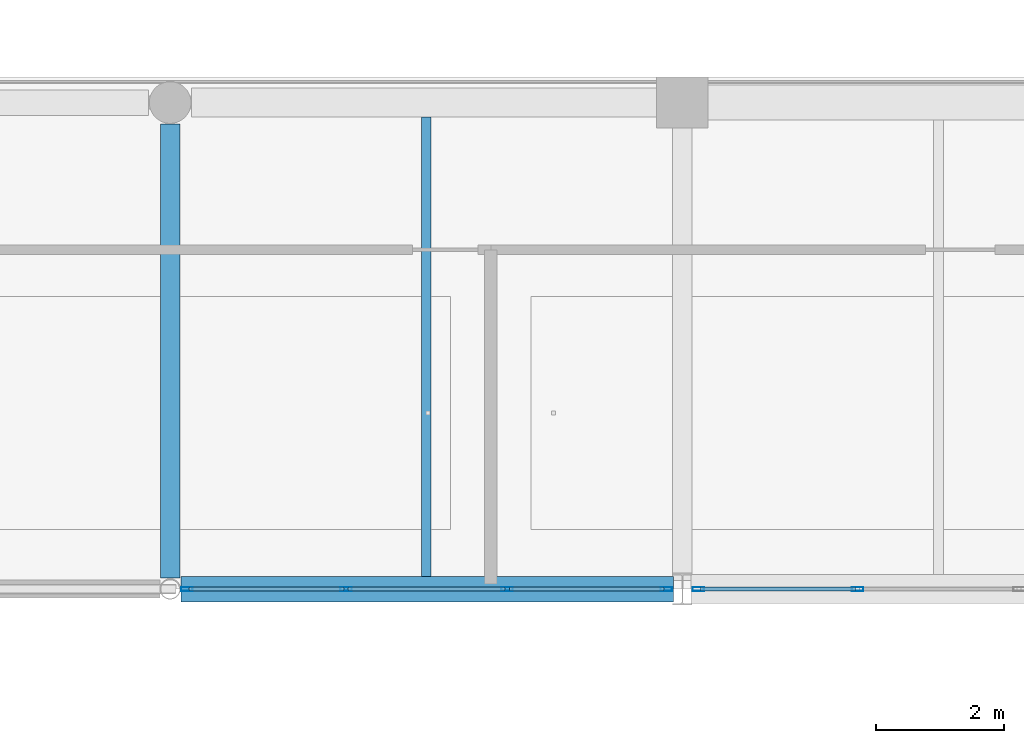
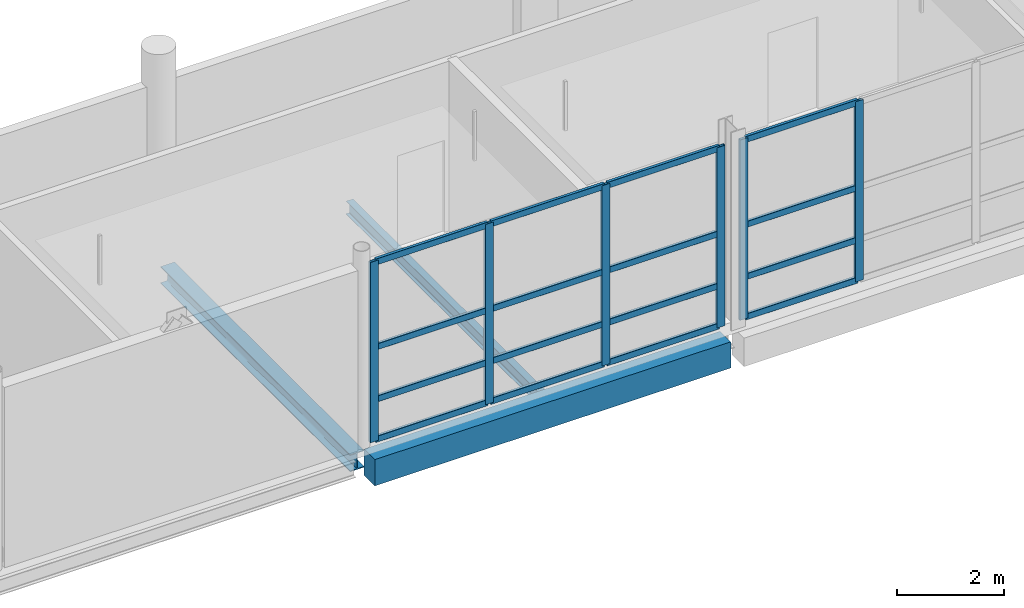
# One storey, part 35 of 107: 22 members, 3 beams, 2 elements without a shape of their own.
"""IFC4 building model written with IfcOpenShell, lengths in metres."""

import ifcopenshell
import ifcopenshell.guid

model = None  # the IFC model being written
_history = None  # IfcOwnerHistory: only IFC2X3 demands one
_inside = {}  # id of a spatial element -> (the spatial element, [elements in it])
_under = {}  # id of a project, library or spatial element -> (it, [spatial elements below it])
_declared = {}  # id of a project -> (the project, [libraries it declares])
_typed = {}  # id of a type object -> (the type object, [elements of that type])
_made_of = {}  # id of a material, layer set ... -> (it, [elements and type objects made of it])


def new_model(schema):
    """Start an empty IFC model of exactly this schema.

    Asked for "IFC4X3", IfcOpenShell would pick the latest addendum, in which some entities
    have other attributes; the version numbers below select the first issue.
    IFC2X3 requires an IfcOwnerHistory on every rooted entity: one is made here for all.
    """
    global model, _history
    if schema == "IFC4X3":
        model = ifcopenshell.file(schema_version=(4, 3, 0, 0))
    else:
        model = ifcopenshell.file(schema=schema)
    _inside.clear()
    _under.clear()
    _declared.clear()
    _typed.clear()
    _made_of.clear()
    _history = None
    if model.schema == "IFC2X3":
        org = make("IfcOrganization", Name="unknown")
        user = make(
            "IfcPersonAndOrganization",
            ThePerson=make("IfcPerson", FamilyName="unknown"),
            TheOrganization=org,
        )
        app = make(
            "IfcApplication",
            ApplicationDeveloper=org,
            Version="unknown",
            ApplicationFullName="unknown",
            ApplicationIdentifier="unknown",
        )
        _history = make(
            "IfcOwnerHistory",
            OwningUser=user,
            OwningApplication=app,
            ChangeAction="ADDED",
            CreationDate=0,
        )
    return model


def make(cls, **values):
    """One entity of the class cls with the attributes given. An attribute that is None is left unset."""
    return model.create_entity(
        cls, **{name: value for name, value in values.items() if value is not None}
    )


def rooted(cls, **values):
    """An entity with a GlobalId (a new one), such as an element, a storey or a relation."""
    return make(cls, GlobalId=ifcopenshell.guid.new(), OwnerHistory=_history, **values)


def si_unit(unit_type, name, prefix=None):
    """IfcSIUnit, for example si_unit("LENGTHUNIT", "METRE", prefix="MILLI")."""
    return make("IfcSIUnit", UnitType=unit_type, Prefix=prefix, Name=name)


def assignment(units):
    """IfcUnitAssignment: the units of a project."""
    return None if units is None else make("IfcUnitAssignment", Units=units)


def point(xyz):
    """IfcCartesianPoint."""
    return None if xyz is None else make("IfcCartesianPoint", Coordinates=xyz)


def direction(xyz):
    """IfcDirection."""
    return None if xyz is None else make("IfcDirection", DirectionRatios=xyz)


def frame(location, z_axis=None, x_axis=None):
    """IfcAxis2Placement3D, a coordinate frame: its origin and axes. An axis left out is left unset."""
    return make(
        "IfcAxis2Placement3D",
        Location=point(location),
        Axis=direction(z_axis),
        RefDirection=direction(x_axis),
    )


def frame_2d(location, x_axis=None):
    """IfcAxis2Placement2D, a coordinate frame in the plane: its origin and x axis."""
    return make(
        "IfcAxis2Placement2D", Location=point(location), RefDirection=direction(x_axis)
    )


def origin():
    """The frame at (0, 0, 0) with its axes left unset."""
    return frame((0.0, 0.0, 0.0))


def origin_2d():
    """The frame at (0, 0) in the plane with its x axis left unset."""
    return frame_2d((0.0, 0.0))


def place(relative_to, where):
    """IfcLocalPlacement: puts the frame where relative to a parent placement (None: the world)."""
    return make(
        "IfcLocalPlacement", PlacementRelTo=relative_to, RelativePlacement=where
    )


def context(
    kind, dimensions, precision=None, world=None, true_north=None, identifier=None
):
    """IfcGeometricRepresentationContext, for example the 3D "Model" context."""
    return make(
        "IfcGeometricRepresentationContext",
        ContextIdentifier=identifier,
        ContextType=kind,
        CoordinateSpaceDimension=dimensions,
        Precision=precision,
        WorldCoordinateSystem=world,
        TrueNorth=true_north,
    )


def subcontext(parent, identifier, kind, view, scale=None):
    """IfcGeometricRepresentationSubContext, for example "Body" below "Model"."""
    return make(
        "IfcGeometricRepresentationSubContext",
        ContextIdentifier=identifier,
        ContextType=kind,
        ParentContext=parent,
        TargetScale=scale,
        TargetView=view,
    )


def project(units=None, contexts=None):
    """IfcProject with its units and contexts."""
    return rooted(
        "IfcProject",
        Name="project",
        RepresentationContexts=contexts,
        UnitsInContext=assignment(units),
    )


def spatial(cls, under=None, at=None, **own):
    """A site, building, storey or space (cls), placed at a placement, below another one or the project."""
    s = rooted(cls, ObjectPlacement=at, **own)
    if under is not None:
        _under.setdefault(under.id(), (under, []))[1].append(s)
    return s


def profile(cls, at=None, kind="AREA", **sizes):
    """A parametric profile (cls). Its sizes go by their IFC names, for example OverallWidth=200.0."""
    return make(cls, ProfileType=kind, Position=at, **sizes)


def rectangle(**sizes):
    """IfcRectangleProfileDef."""
    return profile("IfcRectangleProfileDef", **sizes)


def hollow_rectangle(**sizes):
    """IfcRectangleHollowProfileDef."""
    return profile("IfcRectangleHollowProfileDef", **sizes)


def i_section(**sizes):
    """IfcIShapeProfileDef."""
    return profile("IfcIShapeProfileDef", **sizes)


def extrude(swept, where, along, depth):
    """IfcExtrudedAreaSolid: the profile swept, set in the frame where, extruded along a direction by depth."""
    return make(
        "IfcExtrudedAreaSolid",
        SweptArea=swept,
        Position=where,
        ExtrudedDirection=direction(along),
        Depth=depth,
    )


def shape(context_of_items, identifier, shape_type, items):
    """IfcShapeRepresentation: the items that make up one representation, for example the "Body"."""
    return make(
        "IfcShapeRepresentation",
        ContextOfItems=context_of_items,
        RepresentationIdentifier=identifier,
        RepresentationType=shape_type,
        Items=items,
    )


def material(Name=None, Category=None):
    """IfcMaterial."""
    return make("IfcMaterial", Name=Name, Category=Category)


def material_profile(
    of_material, cross_section, Name=None, Category=None, Priority=None
):
    """IfcMaterialProfile: a cross section and its material."""
    return make(
        "IfcMaterialProfile",
        Name=Name,
        Material=of_material,
        Profile=cross_section,
        Priority=Priority,
        Category=Category,
    )


def profile_set(profiles, Name=None, composite=None):
    """IfcMaterialProfileSet."""
    return make(
        "IfcMaterialProfileSet",
        Name=Name,
        MaterialProfiles=profiles,
        CompositeProfile=composite,
    )


def made_of(thing, what):
    """Note that an element or type object is made of a material, layer set ...; save() writes the relation."""
    if what is not None:
        _made_of.setdefault(what.id(), (what, []))[1].append(thing)
    return thing


def type_object(cls, material=None, **own):
    """A type object (cls), such as IfcWallType, which elements share."""
    return made_of(rooted(cls, **own), material)


def element(
    cls,
    number,
    at=None,
    inside=None,
    cuts=None,
    type_object=None,
    material=None,
    context=None,
    identifier="Body",
    shape_type=None,
    held_by="IfcProductDefinitionShape",
    body=None,
    shapes=None,
    **own,
):
    """One element of the class cls, such as IfcWall. Its Tag is "e" and its number.

    at: its placement. inside: the storey or other place that contains it. cuts: it is an
    opening in that element (IfcRelVoidsElement). A single representation is given by context,
    identifier, shape_type and body (its items); several are given by shapes. held_by: the class
    of the entity that holds the representations. save() writes the other relations.
    """
    e = rooted(cls, Tag="e%d" % number, ObjectPlacement=at, **own)
    if body is not None:
        shapes = [shape(context, identifier, shape_type, body)]
    if shapes is not None:
        e.Representation = make(held_by, Representations=shapes)
    if inside is not None:
        _inside.setdefault(inside.id(), (inside, []))[1].append(e)
    if cuts is not None:
        rooted(
            "IfcRelVoidsElement", RelatingBuildingElement=cuts, RelatedOpeningElement=e
        )
    if type_object is not None:
        _typed.setdefault(type_object.id(), (type_object, []))[1].append(e)
    return made_of(e, material)


def aggregate(whole, parts):
    """IfcRelAggregates: a whole, such as a stair, and the parts it consists of."""
    return rooted("IfcRelAggregates", RelatingObject=whole, RelatedObjects=parts)


def save(model, path):
    """Write the relations noted so far, then the file.

    IfcRelAggregates (storeys below a building ...), IfcRelContainedInSpatialStructure (elements
    in a storey), IfcRelDefinesByType, IfcRelAssociatesMaterial and IfcRelDeclares: one each for
    every whole, place, type object, material and project.
    """
    for whole, parts in _under.values():
        aggregate(whole, parts)
    for where, things in _inside.values():
        rooted(
            "IfcRelContainedInSpatialStructure",
            RelatedElements=things,
            RelatingStructure=where,
        )
    for kind, things in _typed.values():
        rooted("IfcRelDefinesByType", RelatedObjects=things, RelatingType=kind)
    for what, things in _made_of.values():
        rooted("IfcRelAssociatesMaterial", RelatedObjects=things, RelatingMaterial=what)
    for by, libraries in _declared.values():
        rooted("IfcRelDeclares", RelatingContext=by, RelatedDefinitions=libraries)
    model.write(path)


model = new_model("IFC4")

# Units and contexts
model_context = context("Model", 3, precision=1e-05, world=origin(), true_north=direction((0.0, 1.0)))
body_context = subcontext(model_context, "Body", "Model", "MODEL_VIEW")
ifc_project = project(units=[si_unit("LENGTHUNIT", "METRE"), si_unit("AREAUNIT", "SQUARE_METRE"), si_unit("VOLUMEUNIT", "CUBIC_METRE"), si_unit("PLANEANGLEUNIT", "RADIAN"), si_unit("MASSUNIT", "GRAM", prefix="KILO")], contexts=[model_context])

# Site, building, storey
site_placement = place(None, origin())
site = spatial("IfcSite", under=ifc_project, at=site_placement, CompositionType="ELEMENT")
building_placement = place(site_placement, origin())
building = spatial("IfcBuilding", under=site, at=building_placement, Name="Khelvaren Railside Concert Hall", CompositionType="ELEMENT")
storey_placement = place(building_placement, frame((0.0, 0.0, 15.0)))
storey = spatial("IfcBuildingStorey", under=building, at=storey_placement, Name="L03", CompositionType="ELEMENT", Elevation=15.0)

# Beam
ifc_material_1 = material(Name="Steel S355", Category="steel")
ifc_material_profile_1 = material_profile(ifc_material_1, i_section(OverallWidth=0.300048828125, OverallDepth=0.389892578125, WebThickness=0.010986328125, FlangeThickness=0.01904296875, FilletRadius=0.027099609375, at=origin_2d()), Name="HEA 400")
ifc_profile_set_1 = profile_set([ifc_material_profile_1], Name="Steel S355")
beam_type_1 = type_object("IfcBeamType", Name="BM23", PredefinedType="BEAM", material=ifc_profile_set_1)
beam_1_placement = place(storey_placement, frame((160.0, 0.170654296875, -0.47509765625), z_axis=(0.0, 1.0, 0.0), x_axis=(-1.0, 0.0, 0.0)))
element("IfcBeam", 1, at=beam_1_placement, inside=storey, type_object=beam_type_1, Name="V2 L03 Beam Y3.1", PredefinedType="BEAM", context=body_context, shape_type="SweptSolid", body=[
    extrude(i_section(OverallWidth=0.300048828125, OverallDepth=0.389892578125, WebThickness=0.010986328125, FlangeThickness=0.01904296875, FilletRadius=0.027099609375, at=origin_2d()), origin(), (0.0, 0.0, 1.0), 7.09326171875),
])

# Curtain wall, members
ifc_material_2 = material(Name="Double-glazed low-E dark acoustic glass", Category="glass")
curtain_wall_type_1 = type_object("IfcCurtainWallType", Name="CW65", PredefinedType="USERDEFINED", material=ifc_material_2)
curtain_wall_1_placement = place(storey_placement, origin())
curtain_wall_1 = element("IfcCurtainWall", 2, at=curtain_wall_1_placement, inside=storey, type_object=curtain_wall_type_1, Name="Unitised Curtain Wall CW-V2-L03-S-160", ObjectType="UNITISED CURTAIN WALL", PredefinedType="USERDEFINED")
ifc_material_3 = material(Name="Anodised architectural aluminium 6063-T6", Category="aluminium")
ifc_material_profile_2 = material_profile(ifc_material_3, hollow_rectangle(XDim=0.06494140625, YDim=0.179931640625, WallThickness=0.00390625, InnerFilletRadius=0.001953125, OuterFilletRadius=0.00390625, at=origin_2d()), Name="CWM 65x180x4")
ifc_profile_set_2 = profile_set([ifc_material_profile_2], Name="Anodised architectural aluminium 6063-T6")
member_type_1 = type_object("IfcMemberType", Name="CWM63", PredefinedType="MULLION", material=ifc_profile_set_2)
member_1_placement = place(storey_placement, frame((167.75, 0.0, 0.0), z_axis=(0.0, 0.0, 1.0), x_axis=(0.0, -1.0, 0.0)))
member_1 = element("IfcMember", 3, at=member_1_placement, type_object=member_type_1, Name="CW65 mullion 1", PredefinedType="MULLION", context=body_context, shape_type="SweptSolid", body=[
    extrude(hollow_rectangle(XDim=0.06494140625, YDim=0.179931640625, WallThickness=0.00390625, InnerFilletRadius=0.001953125, OuterFilletRadius=0.00390625, at=origin_2d()), origin(), (0.0, 0.0, 1.0), 4.1201171875),
])
member_2_placement = place(storey_placement, frame((165.264892578125, 0.0, 0.0), z_axis=(0.0, 0.0, 1.0), x_axis=(0.0, -1.0, 0.0)))
member_2 = element("IfcMember", 4, at=member_2_placement, type_object=member_type_1, Name="CW65 mullion 2", PredefinedType="MULLION", context=body_context, shape_type="SweptSolid", body=[
    extrude(hollow_rectangle(XDim=0.06494140625, YDim=0.179931640625, WallThickness=0.00390625, InnerFilletRadius=0.001953125, OuterFilletRadius=0.00390625, at=origin_2d()), origin(), (0.0, 0.0, 1.0), 4.1201171875),
])
member_3_placement = place(storey_placement, frame((162.7470703125, 0.0, 0.0), z_axis=(0.0, 0.0, 1.0), x_axis=(0.0, -1.0, 0.0)))
member_3 = element("IfcMember", 5, at=member_3_placement, type_object=member_type_1, Name="CW65 mullion 3", PredefinedType="MULLION", context=body_context, shape_type="SweptSolid", body=[
    extrude(hollow_rectangle(XDim=0.06494140625, YDim=0.179931640625, WallThickness=0.00390625, InnerFilletRadius=0.001953125, OuterFilletRadius=0.00390625, at=origin_2d()), origin(), (0.0, 0.0, 1.0), 4.1201171875),
])
member_4_placement = place(storey_placement, frame((160.261962890625, 0.0, 0.0), z_axis=(0.0, 0.0, 1.0), x_axis=(0.0, -1.0, 0.0)))
member_4 = element("IfcMember", 6, at=member_4_placement, type_object=member_type_1, Name="CW65 mullion 4", PredefinedType="MULLION", context=body_context, shape_type="SweptSolid", body=[
    extrude(hollow_rectangle(XDim=0.06494140625, YDim=0.179931640625, WallThickness=0.00390625, InnerFilletRadius=0.001953125, OuterFilletRadius=0.00390625, at=origin_2d()), origin(), (0.0, 0.0, 1.0), 4.1201171875),
])

curtain_wall_type_2 = type_object("IfcCurtainWallType", Name="CW69", PredefinedType="USERDEFINED", material=ifc_material_2)
curtain_wall_2_placement = place(storey_placement, origin())
curtain_wall_2 = element("IfcCurtainWall", 7, at=curtain_wall_2_placement, inside=storey, type_object=curtain_wall_type_2, Name="Unitised Curtain Wall CW-V2-L03-S-168", ObjectType="UNITISED CURTAIN WALL", PredefinedType="USERDEFINED")
member_5_placement = place(storey_placement, frame((170.7392578125, 0.0, 0.0), z_axis=(0.0, 0.0, 1.0), x_axis=(0.0, -1.0, 0.0)))
member_5 = element("IfcMember", 8, at=member_5_placement, type_object=member_type_1, Name="CW69 mullion 3", PredefinedType="MULLION", context=body_context, shape_type="SweptSolid", body=[
    extrude(hollow_rectangle(XDim=0.06494140625, YDim=0.179931640625, WallThickness=0.00390625, InnerFilletRadius=0.001953125, OuterFilletRadius=0.00390625, at=origin_2d()), origin(), (0.0, 0.0, 1.0), 4.1201171875),
])
member_6_placement = place(storey_placement, frame((168.25, 0.0, 0.0), z_axis=(0.0, 0.0, 1.0), x_axis=(0.0, -1.0, 0.0)))
member_6 = element("IfcMember", 9, at=member_6_placement, type_object=member_type_1, Name="CW69 mullion 4", PredefinedType="MULLION", context=body_context, shape_type="SweptSolid", body=[
    extrude(hollow_rectangle(XDim=0.06494140625, YDim=0.179931640625, WallThickness=0.00390625, InnerFilletRadius=0.001953125, OuterFilletRadius=0.00390625, at=origin_2d()), origin(), (0.0, 0.0, 1.0), 4.1201171875),
])

# Member
ifc_material_profile_3 = material_profile(ifc_material_3, hollow_rectangle(XDim=0.06494140625, YDim=0.139892578125, WallThickness=0.00390625, InnerFilletRadius=0.001953125, OuterFilletRadius=0.00390625, at=origin_2d()), Name="CWT 65x140x4")
ifc_profile_set_3 = profile_set([ifc_material_profile_3], Name="Anodised architectural aluminium 6063-T6")
member_type_2 = type_object("IfcMemberType", Name="CWT72", PredefinedType="USERDEFINED", material=ifc_profile_set_3)
member_7_placement = place(storey_placement, frame((167.717529296875, 0.0, 0.032470703125), z_axis=(-1.0, 0.0, 0.0), x_axis=(0.0, -1.0, 0.0)))
member_7 = element("IfcMember", 10, at=member_7_placement, type_object=member_type_2, Name="CW65 transom 1.1", ObjectType="TRANSOM", PredefinedType="USERDEFINED", context=body_context, shape_type="SweptSolid", body=[
    extrude(hollow_rectangle(XDim=0.06494140625, YDim=0.139892578125, WallThickness=0.00390625, InnerFilletRadius=0.001953125, OuterFilletRadius=0.00390625, at=origin_2d()), origin(), (0.0, 0.0, 1.0), 2.420166015625),
])

member_8_placement = place(storey_placement, frame((167.717529296875, 0.0, 0.949951171875), z_axis=(-1.0, 0.0, 0.0), x_axis=(0.0, -1.0, 0.0)))
member_8 = element("IfcMember", 11, at=member_8_placement, type_object=member_type_2, Name="CW65 transom 1.2", ObjectType="TRANSOM", PredefinedType="USERDEFINED", context=body_context, shape_type="SweptSolid", body=[
    extrude(hollow_rectangle(XDim=0.06494140625, YDim=0.139892578125, WallThickness=0.00390625, InnerFilletRadius=0.001953125, OuterFilletRadius=0.00390625, at=origin_2d()), origin(), (0.0, 0.0, 1.0), 2.420166015625),
])

member_9_placement = place(storey_placement, frame((167.717529296875, 0.0, 2.142333984375), z_axis=(-1.0, 0.0, 0.0), x_axis=(0.0, -1.0, 0.0)))
member_9 = element("IfcMember", 12, at=member_9_placement, type_object=member_type_2, Name="CW65 transom 1.3", ObjectType="TRANSOM", PredefinedType="USERDEFINED", context=body_context, shape_type="SweptSolid", body=[
    extrude(hollow_rectangle(XDim=0.06494140625, YDim=0.139892578125, WallThickness=0.00390625, InnerFilletRadius=0.001953125, OuterFilletRadius=0.00390625, at=origin_2d()), origin(), (0.0, 0.0, 1.0), 2.420166015625),
])

member_10_placement = place(storey_placement, frame((167.717529296875, 0.0, 4.08740234375), z_axis=(-1.0, 0.0, 0.0), x_axis=(0.0, -1.0, 0.0)))
member_10 = element("IfcMember", 13, at=member_10_placement, type_object=member_type_2, Name="CW65 transom 1.4", ObjectType="TRANSOM", PredefinedType="USERDEFINED", context=body_context, shape_type="SweptSolid", body=[
    extrude(hollow_rectangle(XDim=0.06494140625, YDim=0.139892578125, WallThickness=0.00390625, InnerFilletRadius=0.001953125, OuterFilletRadius=0.00390625, at=origin_2d()), origin(), (0.0, 0.0, 1.0), 2.420166015625),
])

member_11_placement = place(storey_placement, frame((165.232421875, 0.0, 0.032470703125), z_axis=(-1.0, 0.0, 0.0), x_axis=(0.0, -1.0, 0.0)))
member_11 = element("IfcMember", 14, at=member_11_placement, type_object=member_type_2, Name="CW65 transom 2.1", ObjectType="TRANSOM", PredefinedType="USERDEFINED", context=body_context, shape_type="SweptSolid", body=[
    extrude(hollow_rectangle(XDim=0.06494140625, YDim=0.139892578125, WallThickness=0.00390625, InnerFilletRadius=0.001953125, OuterFilletRadius=0.00390625, at=origin_2d()), origin(), (0.0, 0.0, 1.0), 2.45263671875),
])

member_12_placement = place(storey_placement, frame((165.232421875, 0.0, 0.949951171875), z_axis=(-1.0, 0.0, 0.0), x_axis=(0.0, -1.0, 0.0)))
member_12 = element("IfcMember", 15, at=member_12_placement, type_object=member_type_2, Name="CW65 transom 2.2", ObjectType="TRANSOM", PredefinedType="USERDEFINED", context=body_context, shape_type="SweptSolid", body=[
    extrude(hollow_rectangle(XDim=0.06494140625, YDim=0.139892578125, WallThickness=0.00390625, InnerFilletRadius=0.001953125, OuterFilletRadius=0.00390625, at=origin_2d()), origin(), (0.0, 0.0, 1.0), 2.45263671875),
])

member_13_placement = place(storey_placement, frame((165.232421875, 0.0, 2.142333984375), z_axis=(-1.0, 0.0, 0.0), x_axis=(0.0, -1.0, 0.0)))
member_13 = element("IfcMember", 16, at=member_13_placement, type_object=member_type_2, Name="CW65 transom 2.3", ObjectType="TRANSOM", PredefinedType="USERDEFINED", context=body_context, shape_type="SweptSolid", body=[
    extrude(hollow_rectangle(XDim=0.06494140625, YDim=0.139892578125, WallThickness=0.00390625, InnerFilletRadius=0.001953125, OuterFilletRadius=0.00390625, at=origin_2d()), origin(), (0.0, 0.0, 1.0), 2.45263671875),
])

member_14_placement = place(storey_placement, frame((165.232421875, 0.0, 4.08740234375), z_axis=(-1.0, 0.0, 0.0), x_axis=(0.0, -1.0, 0.0)))
member_14 = element("IfcMember", 17, at=member_14_placement, type_object=member_type_2, Name="CW65 transom 2.4", ObjectType="TRANSOM", PredefinedType="USERDEFINED", context=body_context, shape_type="SweptSolid", body=[
    extrude(hollow_rectangle(XDim=0.06494140625, YDim=0.139892578125, WallThickness=0.00390625, InnerFilletRadius=0.001953125, OuterFilletRadius=0.00390625, at=origin_2d()), origin(), (0.0, 0.0, 1.0), 2.45263671875),
])

member_15_placement = place(storey_placement, frame((162.714599609375, 0.0, 0.032470703125), z_axis=(-1.0, 0.0, 0.0), x_axis=(0.0, -1.0, 0.0)))
member_15 = element("IfcMember", 18, at=member_15_placement, type_object=member_type_2, Name="CW65 transom 3.1", ObjectType="TRANSOM", PredefinedType="USERDEFINED", context=body_context, shape_type="SweptSolid", body=[
    extrude(hollow_rectangle(XDim=0.06494140625, YDim=0.139892578125, WallThickness=0.00390625, InnerFilletRadius=0.001953125, OuterFilletRadius=0.00390625, at=origin_2d()), origin(), (0.0, 0.0, 1.0), 2.420166015625),
])

member_16_placement = place(storey_placement, frame((162.714599609375, 0.0, 0.949951171875), z_axis=(-1.0, 0.0, 0.0), x_axis=(0.0, -1.0, 0.0)))
member_16 = element("IfcMember", 19, at=member_16_placement, type_object=member_type_2, Name="CW65 transom 3.2", ObjectType="TRANSOM", PredefinedType="USERDEFINED", context=body_context, shape_type="SweptSolid", body=[
    extrude(hollow_rectangle(XDim=0.06494140625, YDim=0.139892578125, WallThickness=0.00390625, InnerFilletRadius=0.001953125, OuterFilletRadius=0.00390625, at=origin_2d()), origin(), (0.0, 0.0, 1.0), 2.420166015625),
])

member_17_placement = place(storey_placement, frame((162.714599609375, 0.0, 2.142333984375), z_axis=(-1.0, 0.0, 0.0), x_axis=(0.0, -1.0, 0.0)))
member_17 = element("IfcMember", 20, at=member_17_placement, type_object=member_type_2, Name="CW65 transom 3.3", ObjectType="TRANSOM", PredefinedType="USERDEFINED", context=body_context, shape_type="SweptSolid", body=[
    extrude(hollow_rectangle(XDim=0.06494140625, YDim=0.139892578125, WallThickness=0.00390625, InnerFilletRadius=0.001953125, OuterFilletRadius=0.00390625, at=origin_2d()), origin(), (0.0, 0.0, 1.0), 2.420166015625),
])

member_18_placement = place(storey_placement, frame((162.714599609375, 0.0, 4.08740234375), z_axis=(-1.0, 0.0, 0.0), x_axis=(0.0, -1.0, 0.0)))
member_18 = element("IfcMember", 21, at=member_18_placement, type_object=member_type_2, Name="CW65 transom 3.4", ObjectType="TRANSOM", PredefinedType="USERDEFINED", context=body_context, shape_type="SweptSolid", body=[
    extrude(hollow_rectangle(XDim=0.06494140625, YDim=0.139892578125, WallThickness=0.00390625, InnerFilletRadius=0.001953125, OuterFilletRadius=0.00390625, at=origin_2d()), origin(), (0.0, 0.0, 1.0), 2.420166015625),
])

aggregate(curtain_wall_1, [member_1, member_2, member_3, member_4, member_7, member_8, member_9, member_10, member_11, member_12, member_13, member_14, member_15, member_16, member_17, member_18])

member_19_placement = place(storey_placement, frame((170.706787109375, 0.0, 0.032470703125), z_axis=(-1.0, 0.0, 0.0), x_axis=(0.0, -1.0, 0.0)))
member_19 = element("IfcMember", 22, at=member_19_placement, type_object=member_type_2, Name="CW69 transom 3.1", ObjectType="TRANSOM", PredefinedType="USERDEFINED", context=body_context, shape_type="SweptSolid", body=[
    extrude(hollow_rectangle(XDim=0.06494140625, YDim=0.139892578125, WallThickness=0.00390625, InnerFilletRadius=0.001953125, OuterFilletRadius=0.00390625, at=origin_2d()), origin(), (0.0, 0.0, 1.0), 2.42431640625),
])

member_20_placement = place(storey_placement, frame((170.706787109375, 0.0, 0.949951171875), z_axis=(-1.0, 0.0, 0.0), x_axis=(0.0, -1.0, 0.0)))
member_20 = element("IfcMember", 23, at=member_20_placement, type_object=member_type_2, Name="CW69 transom 3.2", ObjectType="TRANSOM", PredefinedType="USERDEFINED", context=body_context, shape_type="SweptSolid", body=[
    extrude(hollow_rectangle(XDim=0.06494140625, YDim=0.139892578125, WallThickness=0.00390625, InnerFilletRadius=0.001953125, OuterFilletRadius=0.00390625, at=origin_2d()), origin(), (0.0, 0.0, 1.0), 2.42431640625),
])

member_21_placement = place(storey_placement, frame((170.706787109375, 0.0, 2.142333984375), z_axis=(-1.0, 0.0, 0.0), x_axis=(0.0, -1.0, 0.0)))
member_21 = element("IfcMember", 24, at=member_21_placement, type_object=member_type_2, Name="CW69 transom 3.3", ObjectType="TRANSOM", PredefinedType="USERDEFINED", context=body_context, shape_type="SweptSolid", body=[
    extrude(hollow_rectangle(XDim=0.06494140625, YDim=0.139892578125, WallThickness=0.00390625, InnerFilletRadius=0.001953125, OuterFilletRadius=0.00390625, at=origin_2d()), origin(), (0.0, 0.0, 1.0), 2.42431640625),
])

member_22_placement = place(storey_placement, frame((170.706787109375, 0.0, 4.08740234375), z_axis=(-1.0, 0.0, 0.0), x_axis=(0.0, -1.0, 0.0)))
member_22 = element("IfcMember", 25, at=member_22_placement, type_object=member_type_2, Name="CW69 transom 3.4", ObjectType="TRANSOM", PredefinedType="USERDEFINED", context=body_context, shape_type="SweptSolid", body=[
    extrude(hollow_rectangle(XDim=0.06494140625, YDim=0.139892578125, WallThickness=0.00390625, InnerFilletRadius=0.001953125, OuterFilletRadius=0.00390625, at=origin_2d()), origin(), (0.0, 0.0, 1.0), 2.42431640625),
])

aggregate(curtain_wall_2, [member_5, member_6, member_19, member_20, member_21, member_22])

# Beams
ifc_material_profile_4 = material_profile(ifc_material_1, i_section(OverallWidth=0.14990234375, OverallDepth=0.300048828125, WebThickness=0.007080078125, FlangeThickness=0.0107421875, FilletRadius=0.014892578125, at=origin_2d()), Name="IPE 300")
ifc_profile_set_4 = profile_set([ifc_material_profile_4], Name="Steel S355")
beam_type_2 = type_object("IfcBeamType", Name="JS26", PredefinedType="JOIST", material=ifc_profile_set_4)
beam_2_placement = place(storey_placement, frame((164.0, 0.199951171875, -0.429931640625), z_axis=(0.0, 1.0, 0.0), x_axis=(-1.0, 0.0, 0.0)))
element("IfcBeam", 26, at=beam_2_placement, inside=storey, type_object=beam_type_2, Name="V2 L03 Secondary Joist 3.1", PredefinedType="JOIST", context=body_context, shape_type="SweptSolid", body=[
    extrude(i_section(OverallWidth=0.14990234375, OverallDepth=0.300048828125, WebThickness=0.007080078125, FlangeThickness=0.0107421875, FilletRadius=0.014892578125, at=origin_2d()), origin(), (0.0, 0.0, 1.0), 7.175048828125),
])
ifc_material_4 = material(Name="Concrete C40/50", Category="concrete")
ifc_material_profile_5 = material_profile(ifc_material_4, rectangle(XDim=0.39990234375, YDim=0.60009765625, at=origin_2d()), Name="RCB 400x600")
ifc_profile_set_5 = profile_set([ifc_material_profile_5], Name="Concrete C40/50")
beam_type_3 = type_object("IfcBeamType", Name="SP75", PredefinedType="SPANDREL", material=ifc_profile_set_5)
beam_3_placement = place(storey_placement, frame((160.170654296875, 0.0, -0.580078125), z_axis=(1.0, 0.0, 0.0), x_axis=(0.0, 1.0, 0.0)))
element("IfcBeam", 27, at=beam_3_placement, inside=storey, type_object=beam_type_3, Name="V2 L03 Spandrel X1.3", PredefinedType="SPANDREL", context=body_context, shape_type="SweptSolid", body=[
    extrude(rectangle(XDim=0.39990234375, YDim=0.60009765625, at=origin_2d()), origin(), (0.0, 0.0, 1.0), 7.693359375),
])

save(model, "model.ifc")
